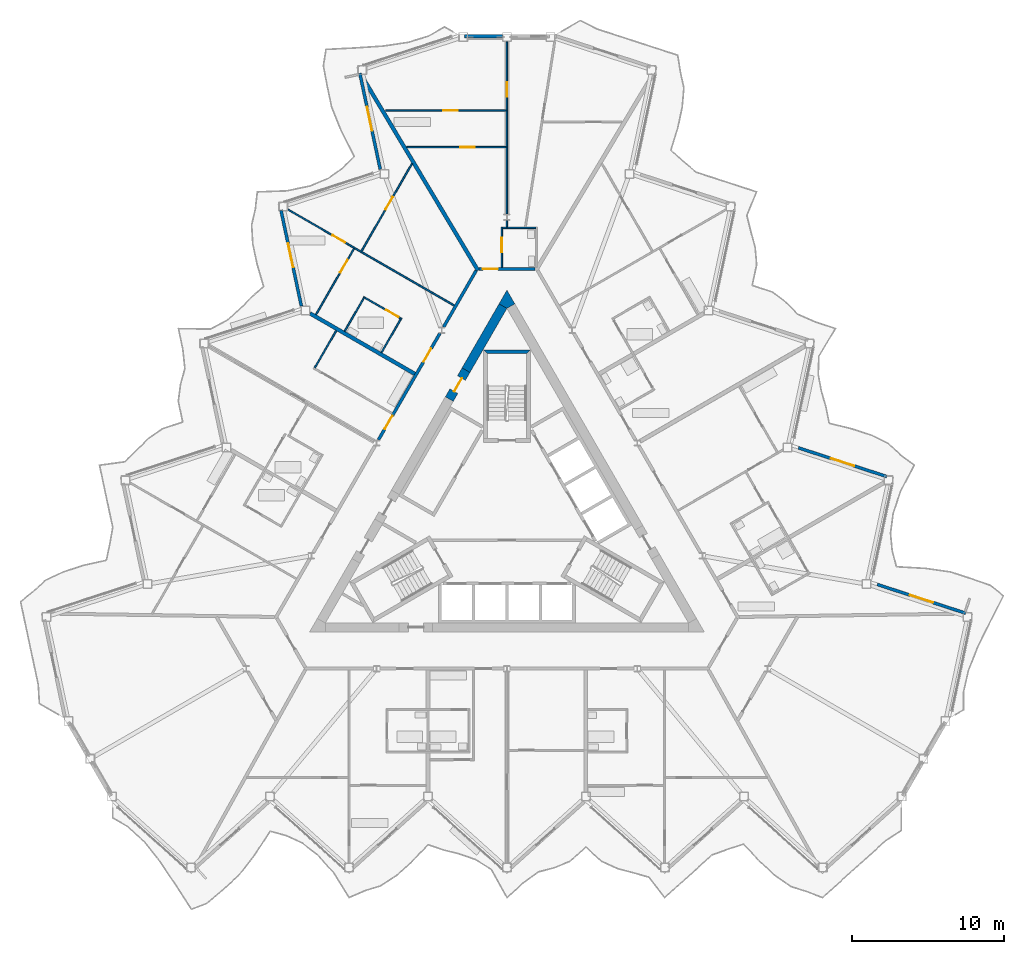
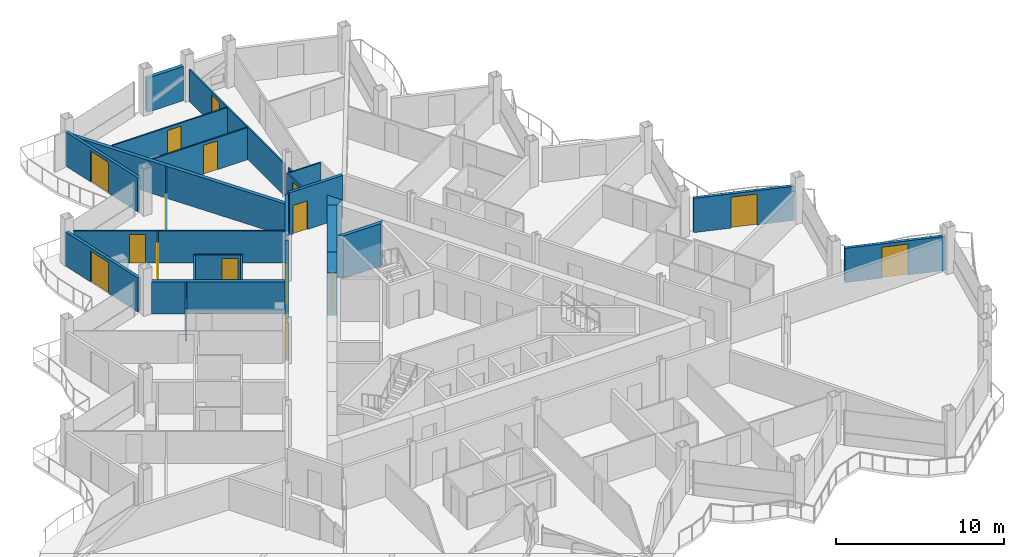
# One storey, part 17 of 26: 27 walls, 16 doors, 16 openings.
"""IFC4 building model written with IfcOpenShell, lengths in metres."""

from ifc_helpers import new_model, si_unit, direction, frame, frame_2d, origin, place, context, subcontext, project, spatial, polyline, rectangle, outline, extrude, material, layer, layer_set, type_object, element, fill, save


model = new_model("IFC4")

# Units and contexts
model_context = context("Model", 3, precision=1e-05, world=origin(), true_north=direction((0.0, 1.0)))
body_context = subcontext(model_context, "Body", "Model", "MODEL_VIEW")
ifc_project = project(units=[si_unit("LENGTHUNIT", "METRE"), si_unit("AREAUNIT", "SQUARE_METRE"), si_unit("VOLUMEUNIT", "CUBIC_METRE"), si_unit("PLANEANGLEUNIT", "RADIAN"), si_unit("MASSUNIT", "GRAM", prefix="KILO")], contexts=[model_context])

# Site, building, storey
site_placement = place(None, origin())
site = spatial("IfcSite", under=ifc_project, at=site_placement, CompositionType="ELEMENT")
building_placement = place(site_placement, origin())
building = spatial("IfcBuilding", under=site, at=building_placement, Name="Cormorant Prow Tower", CompositionType="ELEMENT")
storey_placement = place(building_placement, frame((0.0, 0.0, 325.60009765625)))
storey = spatial("IfcBuildingStorey", under=building, at=storey_placement, Name="L72", CompositionType="ELEMENT", Elevation=325.60009765625)

# Walls
ifc_material_1 = material(Name="Concrete 8000 psi", Category="concrete")
ifc_layer_1 = layer(ifc_material_1, 0.60009765625)
ifc_layer_set_1 = layer_set([ifc_layer_1], Name="Concrete 8000 psi")
wall_type_1 = type_object("IfcWallType", Name="Core shear wall 600", PredefinedType="SHEAR", material=ifc_layer_set_1)
wall_1_placement = place(storey_placement, frame((-0.259765625, 13.961181640625, 0.0), z_axis=(0.0, 0.0, 1.0), x_axis=(-0.50000604952, -0.866021911064, 0.0)))
element("IfcWall", 1, at=wall_1_placement, inside=storey, type_object=wall_type_1, Name="Core wall", PredefinedType="SHEAR", context=body_context, shape_type="SweptSolid", body=[
    extrude(rectangle(XDim=4.86865234375, YDim=0.60009765625, at=frame_2d((2.434326171875, 0.0))), origin(), (0.0, 0.0, 1.0), 3.099853515625),
])
wall_2_placement = place(storey_placement, origin())
element("IfcWall", 2, at=wall_2_placement, inside=storey, type_object=wall_type_1, Name="Core wall corner", PredefinedType="SHEAR", context=body_context, shape_type="SweptSolid", body=[
    extrude(outline(polyline([(-0.51953125, 14.111083984375), (0.0, 15.010986328125), (0.51953125, 14.111083984375), (0.0, 13.81103515625), (-0.51953125, 14.111083984375)])), origin(), (0.0, 0.0, 1.0), 3.099853515625),
])

# Wall, opening, door
wall_3_placement = place(storey_placement, frame((-2.694091796875, 9.744873046875, 0.0), z_axis=(0.0, 0.0, 1.0), x_axis=(-0.50002983664, -0.866008176907, 0.0)))
wall_3 = element("IfcWall", 3, at=wall_3_placement, inside=storey, type_object=wall_type_1, Name="Core wall door panel", PredefinedType="SHEAR", context=body_context, shape_type="SweptSolid", body=[
    extrude(rectangle(XDim=2.199951171875, YDim=0.60009765625, at=frame_2d((1.10009765625, 0.0))), origin(), (0.0, 0.0, 1.0), 3.099853515625),
])
opening_1_placement = place(wall_3_placement, frame((0.60009765625, 0.0, 0.0)))
opening_1 = element("IfcOpeningElement", 4, at=opening_1_placement, cuts=wall_3, Name="Opening L72-C17", PredefinedType="OPENING", context=body_context, shape_type="SweptSolid", body=[
    extrude(rectangle(XDim=1.0, YDim=2.10009765625, at=frame_2d((0.5, 1.050048828125))), frame((0.0, 0.31005859375, 0.0), z_axis=(0.0, -1.0, 0.0), x_axis=(1.0, 0.0, 0.0)), (0.0, 0.0, 1.0), 0.6201171875),
])
ifc_material_2 = material(Name="Painted steel", Category="steel")
door_type_1 = type_object("IfcDoorType", Name="Service door 1000x2100", OperationType="NOTDEFINED", PredefinedType="DOOR", material=ifc_material_2)
door_1_placement = place(opening_1_placement, origin())
door_1 = element("IfcDoor", 5, at=door_1_placement, inside=storey, type_object=door_type_1, Name="Core door, Refuse store", OperationType="SINGLE_SWING_LEFT", OverallHeight=2.10009765625, OverallWidth=1.0, PredefinedType="DOOR", context=body_context, shape_type="SweptSolid", body=[
    extrude(rectangle(XDim=1.0, YDim=2.10009765625, at=frame_2d((0.5, 1.050048828125))), frame((0.0, 0.05517578125, 0.0), z_axis=(0.0, -1.0, 0.0), x_axis=(1.0, 0.0, 0.0)), (0.0, 0.0, 1.0), 0.050048828125),
])
fill(opening_1, door_1)

# Wall, openings, doors
ifc_material_3 = material(Name="Gypsum board corridor wall")
ifc_layer_2 = layer(ifc_material_3, 0.199951171875)
ifc_layer_set_2 = layer_set([ifc_layer_2], Name="Gypsum board corridor wall")
wall_type_2 = type_object("IfcWallType", Name="Corridor wall 200", PredefinedType="PARTITIONING", material=ifc_layer_set_2)
wall_4_placement = place(storey_placement, frame((-8.45849609375, 5.160400390625, 0.0), z_axis=(0.0, 0.0, 1.0), x_axis=(0.499984266882, 0.866034487114, 0.0)))
wall_4 = element("IfcWall", 6, at=wall_4_placement, inside=storey, type_object=wall_type_2, Name="Corridor wall", PredefinedType="PARTITIONING", context=body_context, shape_type="SweptSolid", body=[
    extrude(rectangle(XDim=8.098876953125, YDim=0.199951171875, at=frame_2d((4.04931640625, 0.0))), origin(), (0.0, 0.0, 1.0), 3.099853515625),
])
opening_2_placement = place(wall_4_placement, frame((5.93505859375, 0.0, 0.0)))
opening_2 = element("IfcOpeningElement", 7, at=opening_2_placement, cuts=wall_4, Name="Opening L72-F39", PredefinedType="OPENING", context=body_context, shape_type="SweptSolid", body=[
    extrude(rectangle(XDim=1.0, YDim=2.10009765625, at=frame_2d((0.5, 1.050048828125))), frame((0.0, 0.10986328125, 0.0), z_axis=(0.0, -1.0, 0.0), x_axis=(1.0, 0.0, 0.0)), (0.0, 0.0, 1.0), 0.219970703125),
])
opening_3_placement = place(wall_4_placement, frame((0.829833984375, 0.0, 0.0)))
opening_3 = element("IfcOpeningElement", 8, at=opening_3_placement, cuts=wall_4, Name="Opening L72-F44", PredefinedType="OPENING", context=body_context, shape_type="SweptSolid", body=[
    extrude(rectangle(XDim=1.0, YDim=2.10009765625, at=frame_2d((0.5, 1.050048828125))), frame((0.0, 0.10986328125, 0.0), z_axis=(0.0, -1.0, 0.0), x_axis=(1.0, 0.0, 0.0)), (0.0, 0.0, 1.0), 0.219970703125),
])
ifc_material_4 = material(Name="Timber door leaf", Category="wood")
door_type_2 = type_object("IfcDoorType", Name="Flat or room entrance door 1000x2100", OperationType="NOTDEFINED", PredefinedType="DOOR", material=ifc_material_4)
door_2_placement = place(opening_2_placement, origin())
door_2 = element("IfcDoor", 9, at=door_2_placement, inside=storey, type_object=door_type_2, Name="Living room door", OperationType="SINGLE_SWING_LEFT", OverallHeight=2.10009765625, OverallWidth=1.0, PredefinedType="DOOR", context=body_context, shape_type="SweptSolid", body=[
    extrude(rectangle(XDim=1.0, YDim=2.10009765625, at=frame_2d((0.5, 1.050048828125))), frame((0.0, 0.02490234375, 0.0), z_axis=(0.0, -1.0, 0.0), x_axis=(1.0, 0.0, 0.0)), (0.0, 0.0, 1.0), 0.050048828125),
])
fill(opening_2, door_2)
door_3_placement = place(opening_3_placement, origin())
door_3 = element("IfcDoor", 10, at=door_3_placement, inside=storey, type_object=door_type_2, Name="Living room door", OperationType="SINGLE_SWING_RIGHT", OverallHeight=2.10009765625, OverallWidth=1.0, PredefinedType="DOOR", context=body_context, shape_type="SweptSolid", body=[
    extrude(rectangle(XDim=1.0, YDim=2.10009765625, at=frame_2d((0.5, 1.050048828125))), frame((0.0, 0.02490234375, 0.0), z_axis=(0.0, -1.0, 0.0), x_axis=(1.0, 0.0, 0.0)), (0.0, 0.0, 1.0), 0.050048828125),
])
fill(opening_3, door_3)

# Wall
wall_5_placement = place(storey_placement, frame((-4.169189453125, 12.589599609375, 0.0), z_axis=(0.0, 0.0, 1.0), x_axis=(0.499978750566, 0.866037671803, 0.0)))
element("IfcWall", 11, at=wall_5_placement, inside=storey, type_object=wall_type_2, Name="Corridor wall", PredefinedType="PARTITIONING", context=body_context, shape_type="SweptSolid", body=[
    extrude(rectangle(XDim=4.287841796875, YDim=0.199951171875, at=frame_2d((2.14404296875, 0.0))), origin(), (0.0, 0.0, 1.0), 3.099853515625),
])

# Wall, opening, door
wall_6_placement = place(storey_placement, frame((-1.837890625, 16.4111328125, 0.0), z_axis=(0.0, 0.0, 1.0), x_axis=(1.0, 0.0, 0.0)))
wall_6 = element("IfcWall", 12, at=wall_6_placement, inside=storey, type_object=wall_type_2, Name="Corridor wall", PredefinedType="PARTITIONING", context=body_context, shape_type="SweptSolid", body=[
    extrude(rectangle(XDim=3.67578125, YDim=0.199951171875, at=frame_2d((1.837890625, 0.0))), origin(), (0.0, 0.0, 1.0), 3.099853515625),
])
opening_4_placement = place(wall_6_placement, frame((0.25, 0.0, 0.0)))
opening_4 = element("IfcOpeningElement", 13, at=opening_4_placement, cuts=wall_6, Name="Opening L72-F32", PredefinedType="OPENING", context=body_context, shape_type="SweptSolid", body=[
    extrude(rectangle(XDim=1.0, YDim=2.10009765625, at=frame_2d((0.5, 1.050048828125))), frame((0.0, 0.10986328125, 0.0), z_axis=(0.0, -1.0, 0.0), x_axis=(1.0, 0.0, 0.0)), (0.0, 0.0, 1.0), 0.219970703125),
])
door_4_placement = place(opening_4_placement, origin())
door_4 = element("IfcDoor", 14, at=door_4_placement, inside=storey, type_object=door_type_2, Name="Living room door", OperationType="SINGLE_SWING_RIGHT", OverallHeight=2.10009765625, OverallWidth=1.0, PredefinedType="DOOR", context=body_context, shape_type="SweptSolid", body=[
    extrude(rectangle(XDim=1.0, YDim=2.10009765625, at=frame_2d((0.5, 1.050048828125))), frame((0.0, 0.02490234375, 0.0), z_axis=(0.0, -1.0, 0.0), x_axis=(1.0, 0.0, 0.0)), (0.0, 0.0, 1.0), 0.050048828125),
])
fill(opening_4, door_4)

ifc_material_5 = material(Name="Gypsum board partition")
ifc_layer_3 = layer(ifc_material_5, 0.10009765625)
ifc_layer_set_3 = layer_set([ifc_layer_3], Name="Gypsum board partition")
wall_type_3 = type_object("IfcWallType", Name="Internal partition 100", PredefinedType="PARTITIONING", material=ifc_layer_set_3)
wall_7_placement = place(storey_placement, frame((-14.41650390625, 20.320068359375, 0.0), z_axis=(0.0, 0.0, 1.0), x_axis=(0.866021216079, -0.500007253249, 0.0)))
wall_7 = element("IfcWall", 15, at=wall_7_placement, inside=storey, type_object=wall_type_3, Name="Internal partition", PredefinedType="PARTITIONING", context=body_context, shape_type="SweptSolid", body=[
    extrude(rectangle(XDim=12.639404296875, YDim=0.10009765625, at=frame_2d((6.31982421875, 0.0))), origin(), (0.0, 0.0, 1.0), 2.330078125),
])
opening_5_placement = place(wall_7_placement, frame((3.375, 0.0, 0.0)))
opening_5 = element("IfcOpeningElement", 16, at=opening_5_placement, cuts=wall_7, Name="Opening L72-F42", PredefinedType="OPENING", context=body_context, shape_type="SweptSolid", body=[
    extrude(rectangle(XDim=0.949951171875, YDim=2.10009765625, at=frame_2d((0.47509765625, 1.050048828125))), frame((0.0, 0.06005859375, 0.0), z_axis=(0.0, -1.0, 0.0), x_axis=(1.0, 0.0, 0.0)), (0.0, 0.0, 1.0), 0.1201171875),
])
ifc_material_6 = material(Name="Timber door leaf", Category="wood")
door_type_3 = type_object("IfcDoorType", Name="Bathroom door 950x2100", OperationType="NOTDEFINED", PredefinedType="DOOR", material=ifc_material_6)
door_5_placement = place(opening_5_placement, origin())
door_5 = element("IfcDoor", 17, at=door_5_placement, inside=storey, type_object=door_type_3, Name="Kitchen door", OperationType="SINGLE_SWING_RIGHT", OverallHeight=2.10009765625, OverallWidth=0.949951171875, PredefinedType="DOOR", context=body_context, shape_type="SweptSolid", body=[
    extrude(rectangle(XDim=0.949951171875, YDim=2.10009765625, at=frame_2d((0.47509765625, 1.050048828125))), frame((0.0, 0.02490234375, 0.0), z_axis=(0.0, -1.0, 0.0), x_axis=(1.0, 0.0, 0.0)), (0.0, 0.0, 1.0), 0.050048828125),
])
fill(opening_5, door_5)

wall_8_placement = place(storey_placement, frame((0.0, 20.018798828125, 0.0), z_axis=(0.0, 0.0, 1.0), x_axis=(0.0, 1.0, 0.0)))
wall_8 = element("IfcWall", 18, at=wall_8_placement, inside=storey, type_object=wall_type_3, Name="Internal partition", PredefinedType="PARTITIONING", context=body_context, shape_type="SweptSolid", body=[
    extrude(rectangle(XDim=11.347412109375, YDim=0.10009765625, at=frame_2d((5.673828125, 0.0))), origin(), (0.0, 0.0, 1.0), 2.330078125),
])
opening_6_placement = place(wall_8_placement, frame((7.723388671875, 0.0, 0.0)))
opening_6 = element("IfcOpeningElement", 19, at=opening_6_placement, cuts=wall_8, Name="Opening L72-F36", PredefinedType="OPENING", context=body_context, shape_type="SweptSolid", body=[
    extrude(rectangle(XDim=0.949951171875, YDim=2.10009765625, at=frame_2d((0.47509765625, 1.050048828125))), frame((0.0, 0.06005859375, 0.0), z_axis=(0.0, -1.0, 0.0), x_axis=(1.0, 0.0, 0.0)), (0.0, 0.0, 1.0), 0.1201171875),
])
door_6_placement = place(opening_6_placement, origin())
door_6 = element("IfcDoor", 20, at=door_6_placement, inside=storey, type_object=door_type_3, Name="Dining room door", OperationType="SINGLE_SWING_LEFT", OverallHeight=2.10009765625, OverallWidth=0.949951171875, PredefinedType="DOOR", context=body_context, shape_type="SweptSolid", body=[
    extrude(rectangle(XDim=0.949951171875, YDim=2.10009765625, at=frame_2d((0.47509765625, 1.050048828125))), frame((0.0, 0.02490234375, 0.0), z_axis=(0.0, -1.0, 0.0), x_axis=(1.0, 0.0, 0.0)), (0.0, 0.0, 1.0), 0.050048828125),
])
fill(opening_6, door_6)

wall_9_placement = place(storey_placement, frame((-7.981201171875, 26.8349609375, 0.0), z_axis=(0.0, 0.0, 1.0), x_axis=(1.0, 0.0, 0.0)))
wall_9 = element("IfcWall", 21, at=wall_9_placement, inside=storey, type_object=wall_type_3, Name="Internal partition", PredefinedType="PARTITIONING", context=body_context, shape_type="SweptSolid", body=[
    extrude(rectangle(XDim=7.93115234375, YDim=0.10009765625, at=frame_2d((3.965576171875, 0.0))), origin(), (0.0, 0.0, 1.0), 2.330078125),
])
opening_7_placement = place(wall_9_placement, frame((3.79443359375, 0.0, 0.0)))
opening_7 = element("IfcOpeningElement", 22, at=opening_7_placement, cuts=wall_9, Name="Opening L72-F35", PredefinedType="OPENING", context=body_context, shape_type="SweptSolid", body=[
    extrude(rectangle(XDim=0.949951171875, YDim=2.10009765625, at=frame_2d((0.47509765625, 1.050048828125))), frame((0.0, 0.06005859375, 0.0), z_axis=(0.0, -1.0, 0.0), x_axis=(1.0, 0.0, 0.0)), (0.0, 0.0, 1.0), 0.1201171875),
])
door_7_placement = place(opening_7_placement, origin())
door_7 = element("IfcDoor", 23, at=door_7_placement, inside=storey, type_object=door_type_3, Name="Kitchen door", OperationType="SINGLE_SWING_RIGHT", OverallHeight=2.10009765625, OverallWidth=0.949951171875, PredefinedType="DOOR", context=body_context, shape_type="SweptSolid", body=[
    extrude(rectangle(XDim=0.949951171875, YDim=2.10009765625, at=frame_2d((0.47509765625, 1.050048828125))), frame((0.0, 0.02490234375, 0.0), z_axis=(0.0, -1.0, 0.0), x_axis=(1.0, 0.0, 0.0)), (0.0, 0.0, 1.0), 0.050048828125),
])
fill(opening_7, door_7)

wall_10_placement = place(storey_placement, frame((-9.5751953125, 17.582763671875, 0.0), z_axis=(0.0, 0.0, 1.0), x_axis=(0.499998189891, 0.866026448849, 0.0)))
wall_10 = element("IfcWall", 24, at=wall_10_placement, inside=storey, type_object=wall_type_3, Name="Internal partition", PredefinedType="PARTITIONING", context=body_context, shape_type="SweptSolid", body=[
    extrude(rectangle(XDim=6.66796875, YDim=0.10009765625, at=frame_2d((3.333984375, 0.0))), origin(), (0.0, 0.0, 1.0), 2.330078125),
])
opening_8_placement = place(wall_10_placement, frame((3.159912109375, 0.0, 0.0)))
opening_8 = element("IfcOpeningElement", 25, at=opening_8_placement, cuts=wall_10, Name="Opening L72-F43", PredefinedType="OPENING", context=body_context, shape_type="SweptSolid", body=[
    extrude(rectangle(XDim=0.949951171875, YDim=2.10009765625, at=frame_2d((0.47509765625, 1.050048828125))), frame((0.0, 0.06005859375, 0.0), z_axis=(0.0, -1.0, 0.0), x_axis=(1.0, 0.0, 0.0)), (0.0, 0.0, 1.0), 0.1201171875),
])
door_8_placement = place(opening_8_placement, origin())
door_8 = element("IfcDoor", 26, at=door_8_placement, inside=storey, type_object=door_type_3, Name="Bedroom door", OperationType="SINGLE_SWING_RIGHT", OverallHeight=2.10009765625, OverallWidth=0.949951171875, PredefinedType="DOOR", context=body_context, shape_type="SweptSolid", body=[
    extrude(rectangle(XDim=0.949951171875, YDim=2.10009765625, at=frame_2d((0.47509765625, 1.050048828125))), frame((0.0, 0.02490234375, 0.0), z_axis=(0.0, -1.0, 0.0), x_axis=(1.0, 0.0, 0.0)), (0.0, 0.0, 1.0), 0.050048828125),
])
fill(opening_8, door_8)

wall_11_placement = place(storey_placement, frame((-6.58984375, 24.425048828125, 0.0), z_axis=(0.0, 0.0, 1.0), x_axis=(1.0, 0.0, 0.0)))
wall_11 = element("IfcWall", 27, at=wall_11_placement, inside=storey, type_object=wall_type_3, Name="Internal partition", PredefinedType="PARTITIONING", context=body_context, shape_type="SweptSolid", body=[
    extrude(rectangle(XDim=6.539794921875, YDim=0.10009765625, at=frame_2d((3.27001953125, 0.0))), origin(), (0.0, 0.0, 1.0), 2.330078125),
])
opening_9_placement = place(wall_11_placement, frame((3.507568359375, 0.0, 0.0)))
opening_9 = element("IfcOpeningElement", 28, at=opening_9_placement, cuts=wall_11, Name="Opening L72-F34", PredefinedType="OPENING", context=body_context, shape_type="SweptSolid", body=[
    extrude(rectangle(XDim=0.949951171875, YDim=2.10009765625, at=frame_2d((0.47509765625, 1.050048828125))), frame((0.0, 0.06005859375, 0.0), z_axis=(0.0, -1.0, 0.0), x_axis=(1.0, 0.0, 0.0)), (0.0, 0.0, 1.0), 0.1201171875),
])
door_9_placement = place(opening_9_placement, origin())
door_9 = element("IfcDoor", 29, at=door_9_placement, inside=storey, type_object=door_type_3, Name="Living room door", OperationType="SINGLE_SWING_RIGHT", OverallHeight=2.10009765625, OverallWidth=0.949951171875, PredefinedType="DOOR", context=body_context, shape_type="SweptSolid", body=[
    extrude(rectangle(XDim=0.949951171875, YDim=2.10009765625, at=frame_2d((0.47509765625, 1.050048828125))), frame((0.0, 0.02490234375, 0.0), z_axis=(0.0, -1.0, 0.0), x_axis=(1.0, 0.0, 0.0)), (0.0, 0.0, 1.0), 0.050048828125),
])
fill(opening_9, door_9)

wall_12_placement = place(storey_placement, frame((-12.574951171875, 13.40283203125, 0.0), z_axis=(0.0, 0.0, 1.0), x_axis=(0.499989096993, 0.866031698547, 0.0)))
wall_12 = element("IfcWall", 30, at=wall_12_placement, inside=storey, type_object=wall_type_3, Name="Internal partition", PredefinedType="PARTITIONING", context=body_context, shape_type="SweptSolid", body=[
    extrude(rectangle(XDim=5.01953125, YDim=0.10009765625, at=frame_2d((2.509765625, 0.0))), origin(), (0.0, 0.0, 1.0), 2.330078125),
])
opening_10_placement = place(wall_12_placement, frame((3.207763671875, 0.0, 0.0)))
opening_10 = element("IfcOpeningElement", 31, at=opening_10_placement, cuts=wall_12, Name="Opening L72-F41", PredefinedType="OPENING", context=body_context, shape_type="SweptSolid", body=[
    extrude(rectangle(XDim=0.949951171875, YDim=2.10009765625, at=frame_2d((0.47509765625, 1.050048828125))), frame((0.0, 0.06005859375, 0.0), z_axis=(0.0, -1.0, 0.0), x_axis=(1.0, 0.0, 0.0)), (0.0, 0.0, 1.0), 0.1201171875),
])
door_10_placement = place(opening_10_placement, origin())
door_10 = element("IfcDoor", 32, at=door_10_placement, inside=storey, type_object=door_type_3, Name="Living room door", OperationType="SINGLE_SWING_RIGHT", OverallHeight=2.10009765625, OverallWidth=0.949951171875, PredefinedType="DOOR", context=body_context, shape_type="SweptSolid", body=[
    extrude(rectangle(XDim=0.949951171875, YDim=2.10009765625, at=frame_2d((0.47509765625, 1.050048828125))), frame((0.0, 0.02490234375, 0.0), z_axis=(0.0, -1.0, 0.0), x_axis=(1.0, 0.0, 0.0)), (0.0, 0.0, 1.0), 0.050048828125),
])
fill(opening_10, door_10)

# Wall
wall_13_placement = place(storey_placement, frame((-12.65234375, 9.896728515625, 0.0), z_axis=(0.0, 0.0, 1.0), x_axis=(0.500024172624, 0.866011447264, 0.0)))
element("IfcWall", 33, at=wall_13_placement, inside=storey, type_object=wall_type_3, Name="Internal partition", PredefinedType="PARTITIONING", context=body_context, shape_type="SweptSolid", body=[
    extrude(rectangle(XDim=2.824951171875, YDim=0.10009765625, at=frame_2d((1.41259765625, 0.0))), origin(), (0.0, 0.0, 1.0), 2.330078125),
])

# Wall, opening, door
wall_14_placement = place(storey_placement, frame((-9.4375, 14.564697265625, 0.0), z_axis=(0.0, 0.0, 1.0), x_axis=(0.866032775405, -0.499987231761, 0.0)))
wall_14 = element("IfcWall", 34, at=wall_14_placement, inside=storey, type_object=wall_type_3, Name="Internal partition", PredefinedType="PARTITIONING", context=body_context, shape_type="SweptSolid", body=[
    extrude(rectangle(XDim=2.89990234375, YDim=0.10009765625, at=frame_2d((1.449951171875, 0.0))), origin(), (0.0, 0.0, 1.0), 2.330078125),
])
opening_11_placement = place(wall_14_placement, frame((1.699951171875, 0.0, 0.0)))
opening_11 = element("IfcOpeningElement", 35, at=opening_11_placement, cuts=wall_14, Name="Opening L72-F40", PredefinedType="OPENING", context=body_context, shape_type="SweptSolid", body=[
    extrude(rectangle(XDim=0.949951171875, YDim=2.10009765625, at=frame_2d((0.47509765625, 1.050048828125))), frame((0.0, 0.06005859375, 0.0), z_axis=(0.0, -1.0, 0.0), x_axis=(1.0, 0.0, 0.0)), (0.0, 0.0, 1.0), 0.1201171875),
])
door_11_placement = place(opening_11_placement, origin())
door_11 = element("IfcDoor", 36, at=door_11_placement, inside=storey, type_object=door_type_3, Name="Living room door", OperationType="SINGLE_SWING_RIGHT", OverallHeight=2.10009765625, OverallWidth=0.949951171875, PredefinedType="DOOR", context=body_context, shape_type="SweptSolid", body=[
    extrude(rectangle(XDim=0.949951171875, YDim=2.10009765625, at=frame_2d((0.47509765625, 1.050048828125))), frame((0.0, 0.02490234375, 0.0), z_axis=(0.0, -1.0, 0.0), x_axis=(1.0, 0.0, 0.0)), (0.0, 0.0, 1.0), 0.050048828125),
])
fill(opening_11, door_11)

wall_15_placement = place(storey_placement, frame((-0.3369140625, 16.510986328125, 0.0), z_axis=(0.0, 0.0, 1.0), x_axis=(0.0, 1.0, 0.0)))
wall_15 = element("IfcWall", 37, at=wall_15_placement, inside=storey, type_object=wall_type_3, Name="Internal partition", PredefinedType="PARTITIONING", context=body_context, shape_type="SweptSolid", body=[
    extrude(rectangle(XDim=2.650146484375, YDim=0.10009765625, at=frame_2d((1.3251953125, 0.0))), origin(), (0.0, 0.0, 1.0), 2.330078125),
])
opening_12_placement = place(wall_15_placement, frame((1.013671875, 0.0, 0.0)))
opening_12 = element("IfcOpeningElement", 38, at=opening_12_placement, cuts=wall_15, Name="Opening L72-F33", PredefinedType="OPENING", context=body_context, shape_type="SweptSolid", body=[
    extrude(rectangle(XDim=0.949951171875, YDim=2.10009765625, at=frame_2d((0.47509765625, 1.050048828125))), frame((0.0, 0.06005859375, 0.0), z_axis=(0.0, -1.0, 0.0), x_axis=(1.0, 0.0, 0.0)), (0.0, 0.0, 1.0), 0.1201171875),
])
door_12_placement = place(opening_12_placement, origin())
door_12 = element("IfcDoor", 39, at=door_12_placement, inside=storey, type_object=door_type_3, Name="Living room door", OperationType="SINGLE_SWING_RIGHT", OverallHeight=2.10009765625, OverallWidth=0.949951171875, PredefinedType="DOOR", context=body_context, shape_type="SweptSolid", body=[
    extrude(rectangle(XDim=0.949951171875, YDim=2.10009765625, at=frame_2d((0.47509765625, 1.050048828125))), frame((0.0, 0.02490234375, 0.0), z_axis=(0.0, -1.0, 0.0), x_axis=(1.0, 0.0, 0.0)), (0.0, 0.0, 1.0), 0.050048828125),
])
fill(opening_12, door_12)

# Walls
for number, where, z_axis, x_axis, name in (
    (40, (-10.681640625, 12.309814453125, 0.0), (0.0, 0.0, 1.0), (0.499976333282, 0.866039067339, 0.0), "Internal partition"),
    (41, (-8.2568359375, 10.909912109375, 0.0), (0.0, 0.0, 1.0), (0.50001820224, 0.866014894461, 0.0), "Internal partition"),
):
    element("IfcWall", number, at=place(storey_placement, frame(where, z_axis=z_axis, x_axis=x_axis)), inside=storey, type_object=wall_type_3, Name=name, PredefinedType="PARTITIONING", context=body_context, shape_type="SweptSolid", body=[
        extrude(rectangle(XDim=2.52490234375, YDim=0.10009765625, at=frame_2d((1.262451171875, 0.0))), origin(), (0.0, 0.0, 1.0), 2.330078125),
    ])
wall_16_placement = place(storey_placement, frame((-0.287109375, 19.111083984375, 0.0), z_axis=(0.0, 0.0, 1.0), x_axis=(1.0, 0.0, 0.0)))
element("IfcWall", 42, at=wall_16_placement, inside=storey, type_object=wall_type_3, Name="Internal partition", PredefinedType="PARTITIONING", context=body_context, shape_type="SweptSolid", body=[
    extrude(rectangle(XDim=2.2001953125, YDim=0.10009765625, at=frame_2d((1.10009765625, 0.0))), origin(), (0.0, 0.0, 1.0), 2.330078125),
])
wall_17_placement = place(storey_placement, frame((0.0, 19.1611328125, 0.0), z_axis=(0.0, 0.0, 1.0), x_axis=(0.0, 1.0, 0.0)))
element("IfcWall", 43, at=wall_17_placement, inside=storey, type_object=wall_type_3, Name="Internal partition", PredefinedType="PARTITIONING", context=body_context, shape_type="SweptSolid", body=[
    extrude(rectangle(XDim=0.4423828125, YDim=0.10009765625, at=frame_2d((0.22119140625, 0.0))), origin(), (0.0, 0.0, 1.0), 2.330078125),
])
ifc_material_7 = material(Name="Concrete 8000 psi", Category="concrete")
ifc_layer_4 = layer(ifc_material_7, 0.25)
ifc_layer_set_4 = layer_set([ifc_layer_4], Name="Concrete 8000 psi")
wall_type_4 = type_object("IfcWallType", Name="Stair wall 250", PredefinedType="SHEAR", material=ifc_layer_set_4)
wall_18_placement = place(storey_placement, origin())
element("IfcWall", 44, at=wall_18_placement, inside=storey, type_object=wall_type_4, Name="Stair ST3 enclosure wall (end)", PredefinedType="SHEAR", context=body_context, shape_type="SweptSolid", body=[
    extrude(outline(polyline([(1.5439453125, 11.0869140625), (-1.5439453125, 11.0869140625), (-1.2939453125, 10.8369140625), (1.2939453125, 10.8369140625), (1.5439453125, 11.0869140625)])), origin(), (0.0, 0.0, 1.0), 3.099853515625),
])
ifc_material_8 = material(Name="Acoustic gypsum party wall")
ifc_layer_5 = layer(ifc_material_8, 0.25)
ifc_layer_set_5 = layer_set([ifc_layer_5], Name="Acoustic gypsum party wall")
wall_type_5 = type_object("IfcWallType", Name="Suite party wall 250", PredefinedType="PARTITIONING", material=ifc_layer_set_5)
wall_19_placement = place(storey_placement, frame((-9.493408203125, 29.012451171875, 0.0), z_axis=(0.0, 0.0, 1.0), x_axis=(0.512967150926, -0.85840823742, 0.0)))
element("IfcWall", 45, at=wall_19_placement, inside=storey, type_object=wall_type_5, Name="Suite party wall", PredefinedType="PARTITIONING", context=body_context, shape_type="SweptSolid", body=[
    extrude(rectangle(XDim=14.804931640625, YDim=0.25, at=frame_2d((7.40234375, 0.0))), origin(), (0.0, 0.0, 1.0), 2.330078125),
])
wall_20_placement = place(storey_placement, frame((-12.9619140625, 13.48193359375, 0.0), z_axis=(0.0, 0.0, 1.0), x_axis=(0.866022671543, -0.50000473235, 0.0)))
element("IfcWall", 46, at=wall_20_placement, inside=storey, type_object=wall_type_5, Name="Suite party wall", PredefinedType="PARTITIONING", context=body_context, shape_type="SweptSolid", body=[
    extrude(rectangle(XDim=7.9609375, YDim=0.25, at=frame_2d((3.98046875, 0.0))), origin(), (0.0, 0.0, 1.0), 2.330078125),
])
ifc_material_9 = material(Name="Terracotta", Category="masonry")
ifc_layer_6 = layer(ifc_material_9, 0.25)
ifc_layer_set_6 = layer_set([ifc_layer_6], Name="Terracotta")
wall_type_6 = type_object("IfcWallType", Name="Terracotta bay wall 250", PredefinedType="SOLIDWALL", material=ifc_layer_set_6)
wall_21_placement = place(storey_placement, frame((-0.300048828125, 31.727783203125, 0.0), z_axis=(0.0, 0.0, 1.0), x_axis=(-1.0, 0.0, 0.0)))
element("IfcWall", 47, at=wall_21_placement, inside=storey, type_object=wall_type_6, Name="Terracotta bay wall N01", PredefinedType="SOLIDWALL", context=body_context, shape_type="SweptSolid", body=[
    extrude(rectangle(XDim=2.489501953125, YDim=0.25, at=frame_2d((1.24462890625, 0.0))), origin(), (0.0, 0.0, 1.0), 2.48779296875),
])

# Wall, opening, door
ifc_material_10 = material(Name="Terracotta", Category="masonry")
ifc_layer_7 = layer(ifc_material_10, 0.199951171875)
ifc_layer_set_7 = layer_set([ifc_layer_7], Name="Terracotta")
wall_type_7 = type_object("IfcWallType", Name="Terracotta jamb wall 200", PredefinedType="SOLIDWALL", material=ifc_layer_set_7)
wall_22_placement = place(storey_placement, frame((30.206787109375, -6.25830078125, 0.0), z_axis=(0.0, 0.0, 1.0), x_axis=(-0.951056631566, 0.309016639608, 0.0)))
wall_22 = element("IfcWall", 48, at=wall_22_placement, inside=storey, type_object=wall_type_7, Name="Terracotta jamb wall ENE01", PredefinedType="SOLIDWALL", context=body_context, shape_type="SweptSolid", body=[
    extrude(rectangle(XDim=6.1220703125, YDim=0.199951171875, at=frame_2d((3.06103515625, 0.0))), origin(), (0.0, 0.0, 1.0), 2.48779296875),
])
opening_13_placement = place(wall_22_placement, frame((2.260986328125, 0.0, 0.0)))
opening_13 = element("IfcOpeningElement", 49, at=opening_13_placement, cuts=wall_22, Name="Opening ED72.06", PredefinedType="OPENING", context=body_context, shape_type="SweptSolid", body=[
    extrude(rectangle(XDim=1.60009765625, YDim=2.25, at=frame_2d((0.800048828125, 1.125))), frame((0.0, 0.10986328125, 0.0), z_axis=(0.0, -1.0, 0.0), x_axis=(1.0, 0.0, 0.0)), (0.0, 0.0, 1.0), 0.219970703125),
])
ifc_material_11 = material(Name="Aluminium 6063-T6", Category="aluminium")
door_type_4 = type_object("IfcDoorType", Name="Balcony door 1600x2250", OperationType="DOUBLE_DOOR_SINGLE_SWING", PredefinedType="DOOR", material=ifc_material_11)
door_13_placement = place(opening_13_placement, origin())
door_13 = element("IfcDoor", 50, at=door_13_placement, inside=storey, type_object=door_type_4, Name="Balcony door ENE01 ED72.06", OperationType="DOUBLE_DOOR_SINGLE_SWING", OverallHeight=2.25, OverallWidth=1.60009765625, PredefinedType="DOOR", context=body_context, shape_type="SweptSolid", body=[
    extrude(rectangle(XDim=1.60009765625, YDim=2.25, at=frame_2d((0.800048828125, 1.125))), frame((0.0, 0.02490234375, 0.0), z_axis=(0.0, -1.0, 0.0), x_axis=(1.0, 0.0, 0.0)), (0.0, 0.0, 1.0), 0.050048828125),
])
fill(opening_13, door_13)

wall_23_placement = place(storey_placement, frame((25.01220703125, 2.7392578125, 0.0), z_axis=(0.0, 0.0, 1.0), x_axis=(-0.951056631566, 0.309016639608, 0.0)))
wall_23 = element("IfcWall", 51, at=wall_23_placement, inside=storey, type_object=wall_type_7, Name="Terracotta jamb wall ENE03", PredefinedType="SOLIDWALL", context=body_context, shape_type="SweptSolid", body=[
    extrude(rectangle(XDim=6.1220703125, YDim=0.199951171875, at=frame_2d((3.06103515625, 0.0))), origin(), (0.0, 0.0, 1.0), 2.48779296875),
])
opening_14_placement = place(wall_23_placement, frame((2.260986328125, 0.0, 0.0)))
opening_14 = element("IfcOpeningElement", 52, at=opening_14_placement, cuts=wall_23, Name="Opening ED72.07", PredefinedType="OPENING", context=body_context, shape_type="SweptSolid", body=[
    extrude(rectangle(XDim=1.60009765625, YDim=2.25, at=frame_2d((0.800048828125, 1.125))), frame((0.0, 0.10986328125, 0.0), z_axis=(0.0, -1.0, 0.0), x_axis=(1.0, 0.0, 0.0)), (0.0, 0.0, 1.0), 0.219970703125),
])
door_14_placement = place(opening_14_placement, origin())
door_14 = element("IfcDoor", 53, at=door_14_placement, inside=storey, type_object=door_type_4, Name="Balcony door ENE03 ED72.07", OperationType="DOUBLE_DOOR_SINGLE_SWING", OverallHeight=2.25, OverallWidth=1.60009765625, PredefinedType="DOOR", context=body_context, shape_type="SweptSolid", body=[
    extrude(rectangle(XDim=1.60009765625, YDim=2.25, at=frame_2d((0.800048828125, 1.125))), frame((0.0, 0.02490234375, 0.0), z_axis=(0.0, -1.0, 0.0), x_axis=(1.0, 0.0, 0.0)), (0.0, 0.0, 1.0), 0.050048828125),
])
fill(opening_14, door_14)

wall_24_placement = place(storey_placement, frame((-9.68359375, 29.2890625, 0.0), z_axis=(0.0, 0.0, 1.0), x_axis=(0.207920686021, -0.978145688701, 0.0)))
wall_24 = element("IfcWall", 54, at=wall_24_placement, inside=storey, type_object=wall_type_7, Name="Terracotta jamb wall WNW01", PredefinedType="SOLIDWALL", context=body_context, shape_type="SweptSolid", body=[
    extrude(rectangle(XDim=6.459228515625, YDim=0.199951171875, at=frame_2d((3.2294921875, 0.0))), origin(), (0.0, 0.0, 1.0), 2.48779296875),
])
opening_15_placement = place(wall_24_placement, frame((2.260986328125, 0.0, 0.0)))
opening_15 = element("IfcOpeningElement", 55, at=opening_15_placement, cuts=wall_24, Name="Opening ED72.11", PredefinedType="OPENING", context=body_context, shape_type="SweptSolid", body=[
    extrude(rectangle(XDim=1.60009765625, YDim=2.25, at=frame_2d((0.800048828125, 1.125))), frame((0.0, 0.10986328125, 0.0), z_axis=(0.0, -1.0, 0.0), x_axis=(1.0, 0.0, 0.0)), (0.0, 0.0, 1.0), 0.219970703125),
])
door_15_placement = place(opening_15_placement, origin())
door_15 = element("IfcDoor", 56, at=door_15_placement, inside=storey, type_object=door_type_4, Name="Balcony door WNW01 ED72.11", OperationType="DOUBLE_DOOR_SINGLE_SWING", OverallHeight=2.25, OverallWidth=1.60009765625, PredefinedType="DOOR", context=body_context, shape_type="SweptSolid", body=[
    extrude(rectangle(XDim=1.60009765625, YDim=2.25, at=frame_2d((0.800048828125, 1.125))), frame((0.0, 0.02490234375, 0.0), z_axis=(0.0, -1.0, 0.0), x_axis=(1.0, 0.0, 0.0)), (0.0, 0.0, 1.0), 0.050048828125),
])
fill(opening_15, door_15)

wall_25_placement = place(storey_placement, frame((-14.87841796875, 20.29150390625, 0.0), z_axis=(0.0, 0.0, 1.0), x_axis=(0.207943189785, -0.978140904892, 0.0)))
wall_25 = element("IfcWall", 57, at=wall_25_placement, inside=storey, type_object=wall_type_7, Name="Terracotta jamb wall WNW03", PredefinedType="SOLIDWALL", context=body_context, shape_type="SweptSolid", body=[
    extrude(rectangle(XDim=6.466796875, YDim=0.199951171875, at=frame_2d((3.2333984375, 0.0))), origin(), (0.0, 0.0, 1.0), 2.48779296875),
])
opening_16_placement = place(wall_25_placement, frame((2.260986328125, 0.0, 0.0)))
opening_16 = element("IfcOpeningElement", 58, at=opening_16_placement, cuts=wall_25, Name="Opening ED72.12", PredefinedType="OPENING", context=body_context, shape_type="SweptSolid", body=[
    extrude(rectangle(XDim=1.60009765625, YDim=2.25, at=frame_2d((0.800048828125, 1.125))), frame((0.0, 0.10986328125, 0.0), z_axis=(0.0, -1.0, 0.0), x_axis=(1.0, 0.0, 0.0)), (0.0, 0.0, 1.0), 0.219970703125),
])
door_16_placement = place(opening_16_placement, origin())
door_16 = element("IfcDoor", 59, at=door_16_placement, inside=storey, type_object=door_type_4, Name="Balcony door WNW03 ED72.12", OperationType="DOUBLE_DOOR_SINGLE_SWING", OverallHeight=2.25, OverallWidth=1.60009765625, PredefinedType="DOOR", context=body_context, shape_type="SweptSolid", body=[
    extrude(rectangle(XDim=1.60009765625, YDim=2.25, at=frame_2d((0.800048828125, 1.125))), frame((0.0, 0.02490234375, 0.0), z_axis=(0.0, -1.0, 0.0), x_axis=(1.0, 0.0, 0.0)), (0.0, 0.0, 1.0), 0.050048828125),
])
fill(opening_16, door_16)

save(model, "model.ifc")
